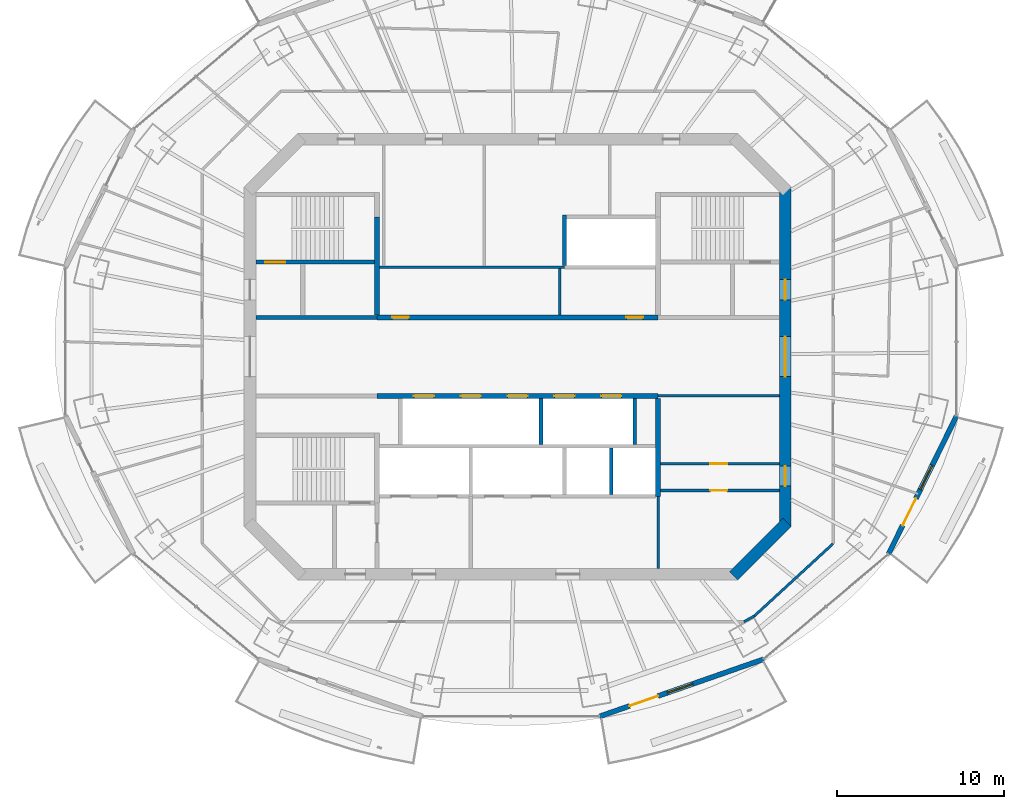
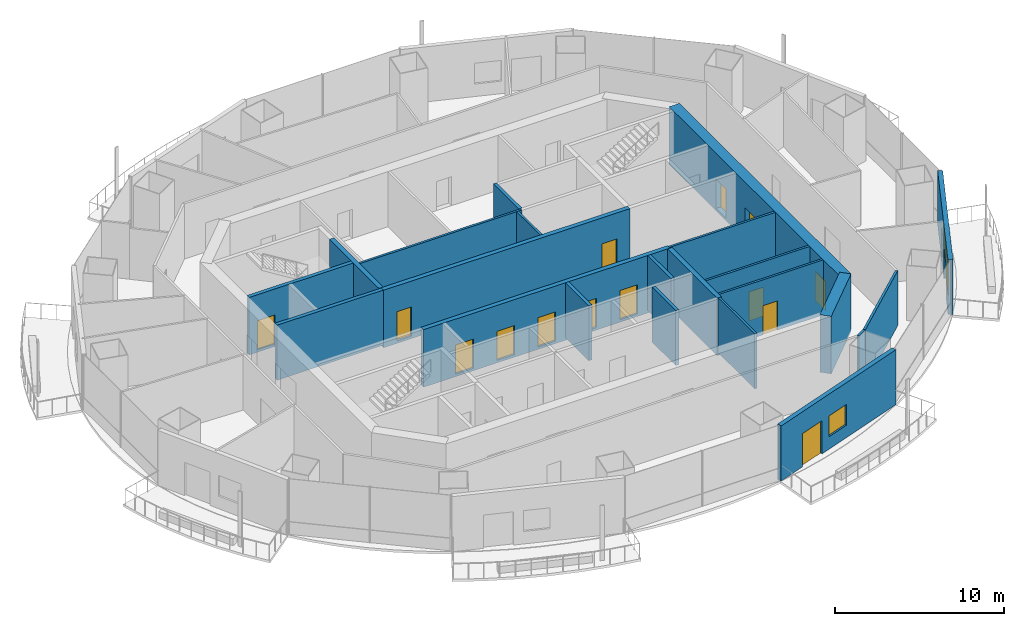
# One storey, part 9 of 16: 22 walls, 15 doors, 2 windows, 17 openings.
"""IFC4 building model written with IfcOpenShell, lengths in metres."""

from ifc_helpers import new_model, si_unit, direction, frame, frame_2d, origin, place, context, subcontext, project, spatial, rectangle, extrude, material, layer, layer_set, type_object, element, fill, save


model = new_model("IFC4")

# Units and contexts
model_context = context("Model", 3, precision=1e-05, world=origin(), true_north=direction((0.0, 1.0)))
body_context = subcontext(model_context, "Body", "Model", "MODEL_VIEW")
ifc_project = project(units=[si_unit("LENGTHUNIT", "METRE"), si_unit("AREAUNIT", "SQUARE_METRE"), si_unit("VOLUMEUNIT", "CUBIC_METRE"), si_unit("PLANEANGLEUNIT", "RADIAN"), si_unit("MASSUNIT", "GRAM", prefix="KILO")], contexts=[model_context])

# Site, building, storey
site_placement = place(None, origin())
site = spatial("IfcSite", under=ifc_project, at=site_placement, CompositionType="ELEMENT")
building_placement = place(site_placement, origin())
building = spatial("IfcBuilding", under=site, at=building_placement, Name="Marenthal Gate Tower", CompositionType="ELEMENT")
storey_placement = place(building_placement, frame((0.0, 0.0, 334.300048828125)))
storey = spatial("IfcBuildingStorey", under=building, at=storey_placement, Name="L75", CompositionType="ELEMENT", Elevation=334.300048828125)

# Wall
ifc_material_1 = material(Name="Concrete 60 MPa", Category="concrete")
ifc_layer_1 = layer(ifc_material_1, 0.699951171875)
ifc_layer_set_1 = layer_set([ifc_layer_1], Name="Core shear wall 700")
wall_type_1 = type_object("IfcWallType", Name="Core shear wall 700", PredefinedType="SHEAR", material=ifc_layer_set_1)
wall_1_placement = place(storey_placement, frame((12.8974609375, -13.1025390625, -0.179931640625), z_axis=(0.0, 0.0, 1.0), x_axis=(0.707106781187, 0.707106781187, 0.0)))
element("IfcWall", 1, at=wall_1_placement, inside=storey, type_object=wall_type_1, Name="Core wall 01", PredefinedType="SHEAR", context=body_context, shape_type="SweptSolid", body=[
    extrude(rectangle(XDim=4.53271484375, YDim=0.699951171875, at=frame_2d((2.266357421875, 0.0))), origin(), (0.0, 0.0, 1.0), 4.14990234375),
])

# Wall, openings, doors
wall_2_placement = place(storey_placement, frame((16.0, -10.14501953125, -0.179931640625), z_axis=(0.0, 0.0, 1.0), x_axis=(0.0, 1.0, 0.0)))
wall_2 = element("IfcWall", 2, at=wall_2_placement, inside=storey, type_object=wall_type_1, Name="Core wall 02", PredefinedType="SHEAR", context=body_context, shape_type="SweptSolid", body=[
    extrude(rectangle(XDim=20.2900390625, YDim=0.699951171875, at=frame_2d((10.14501953125, 0.0))), origin(), (0.0, 0.0, 1.0), 4.14990234375),
])
opening_1_placement = place(wall_2_placement, frame((8.945068359375, 0.0, 0.179931640625)))
opening_1 = element("IfcOpeningElement", 3, at=opening_1_placement, cuts=wall_2, Name="Opening D003.02", PredefinedType="OPENING", context=body_context, shape_type="SweptSolid", body=[
    extrude(rectangle(XDim=2.39990234375, YDim=2.10009765625, at=frame_2d((1.199951171875, 1.050048828125))), frame((0.0, 0.35986328125, 0.0), z_axis=(0.0, -1.0, 0.0), x_axis=(1.0, 0.0, 0.0)), (0.0, 0.0, 1.0), 0.719970703125),
])
opening_2_placement = place(wall_2_placement, frame((13.544921875, 0.0, 0.179931640625)))
opening_2 = element("IfcOpeningElement", 4, at=opening_2_placement, cuts=wall_2, Name="Opening D001.05", PredefinedType="OPENING", context=body_context, shape_type="SweptSolid", body=[
    extrude(rectangle(XDim=1.199951171875, YDim=2.10009765625, at=frame_2d((0.60009765625, 1.050048828125))), frame((0.0, 0.35986328125, 0.0), z_axis=(0.0, -1.0, 0.0), x_axis=(1.0, 0.0, 0.0)), (0.0, 0.0, 1.0), 0.719970703125),
])
opening_3_placement = place(wall_2_placement, frame((2.39990234375, 0.0, 0.179931640625)))
opening_3 = element("IfcOpeningElement", 5, at=opening_3_placement, cuts=wall_2, Name="Opening D006.01", PredefinedType="OPENING", context=body_context, shape_type="SweptSolid", body=[
    extrude(rectangle(XDim=1.199951171875, YDim=2.10009765625, at=frame_2d((0.60009765625, 1.050048828125))), frame((0.0, 0.35986328125, 0.0), z_axis=(0.0, -1.0, 0.0), x_axis=(1.0, 0.0, 0.0)), (0.0, 0.0, 1.0), 0.719970703125),
])
ifc_material_2 = material(Name="Steel fire door", Category="steel")
door_type_1 = type_object("IfcDoorType", Name="Double fire door FD 45 2400 x 2100", OperationType="DOUBLE_DOOR_SINGLE_SWING", PredefinedType="DOOR", material=ifc_material_2)
door_1_placement = place(opening_1_placement, origin())
door_1 = element("IfcDoor", 6, at=door_1_placement, inside=storey, type_object=door_type_1, Name="Door D003.02", OperationType="DOUBLE_DOOR_SINGLE_SWING", OverallHeight=2.10009765625, OverallWidth=2.39990234375, PredefinedType="DOOR", context=body_context, shape_type="SweptSolid", body=[
    extrude(rectangle(XDim=2.39990234375, YDim=2.10009765625, at=frame_2d((1.199951171875, 1.050048828125))), frame((0.0, 0.02490234375, 0.0), z_axis=(0.0, -1.0, 0.0), x_axis=(1.0, 0.0, 0.0)), (0.0, 0.0, 1.0), 0.050048828125),
])
fill(opening_1, door_1)
ifc_material_3 = material(Name="Steel fire door", Category="steel")
door_type_2 = type_object("IfcDoorType", Name="Fire door FD 45 1200 x 2100", OperationType="NOTDEFINED", PredefinedType="DOOR", material=ifc_material_3)
door_2_placement = place(opening_3_placement, origin())
door_2 = element("IfcDoor", 7, at=door_2_placement, inside=storey, type_object=door_type_2, Name="Door D006.01", OperationType="SINGLE_SWING_RIGHT", OverallHeight=2.10009765625, OverallWidth=1.199951171875, PredefinedType="DOOR", context=body_context, shape_type="SweptSolid", body=[
    extrude(rectangle(XDim=1.199951171875, YDim=2.10009765625, at=frame_2d((0.60009765625, 1.050048828125))), frame((0.0, 0.02490234375, 0.0), z_axis=(0.0, -1.0, 0.0), x_axis=(1.0, 0.0, 0.0)), (0.0, 0.0, 1.0), 0.050048828125),
])
fill(opening_3, door_2)
ifc_material_4 = material(Name="Steel fire door", Category="steel")
door_type_3 = type_object("IfcDoorType", Name="Fire door FD 90 1200 x 2100", OperationType="NOTDEFINED", PredefinedType="DOOR", material=ifc_material_4)
door_3_placement = place(opening_2_placement, origin())
door_3 = element("IfcDoor", 8, at=door_3_placement, inside=storey, type_object=door_type_3, Name="Door D001.05", OperationType="SINGLE_SWING_RIGHT", OverallHeight=2.10009765625, OverallWidth=1.199951171875, PredefinedType="DOOR", context=body_context, shape_type="SweptSolid", body=[
    extrude(rectangle(XDim=1.199951171875, YDim=2.10009765625, at=frame_2d((0.60009765625, 1.050048828125))), frame((0.0, 0.02490234375, 0.0), z_axis=(0.0, -1.0, 0.0), x_axis=(1.0, 0.0, 0.0)), (0.0, 0.0, 1.0), 0.050048828125),
])
fill(opening_2, door_3)

ifc_material_5 = material(Name="Concrete 50 MPa", Category="concrete")
ifc_layer_2 = layer(ifc_material_5, 0.300048828125)
ifc_layer_set_2 = layer_set([ifc_layer_2], Name="Hoistway shear wall 300")
wall_type_2 = type_object("IfcWallType", Name="Hoistway shear wall 300", PredefinedType="SHEAR", material=ifc_layer_set_2)
wall_3_placement = place(storey_placement, frame((-8.39990234375, -2.35009765625, -0.179931640625), z_axis=(0.0, 0.0, 1.0), x_axis=(1.0, 0.0, 0.0)))
wall_3 = element("IfcWall", 9, at=wall_3_placement, inside=storey, type_object=wall_type_2, Name="Hoistway wall 17", PredefinedType="SHEAR", context=body_context, shape_type="SweptSolid", body=[
    extrude(rectangle(XDim=16.7998046875, YDim=0.300048828125, at=frame_2d((8.39990234375, 0.0))), origin(), (0.0, 0.0, 1.0), 4.14990234375),
])
opening_4_placement = place(wall_3_placement, frame((2.199951171875, 0.0, 0.179931640625)))
opening_4 = element("IfcOpeningElement", 10, at=opening_4_placement, cuts=wall_3, Name="Opening LD-HP1", PredefinedType="OPENING", context=body_context, shape_type="SweptSolid", body=[
    extrude(rectangle(XDim=1.199951171875, YDim=2.10009765625, at=frame_2d((0.60009765625, 1.050048828125))), frame((0.0, 0.16015625, 0.0), z_axis=(0.0, -1.0, 0.0), x_axis=(1.0, 0.0, 0.0)), (0.0, 0.0, 1.0), 0.320068359375),
])
opening_5_placement = place(wall_3_placement, frame((5.0, 0.0, 0.179931640625)))
opening_5 = element("IfcOpeningElement", 11, at=opening_5_placement, cuts=wall_3, Name="Opening LD-HP2", PredefinedType="OPENING", context=body_context, shape_type="SweptSolid", body=[
    extrude(rectangle(XDim=1.199951171875, YDim=2.10009765625, at=frame_2d((0.60009765625, 1.050048828125))), frame((0.0, 0.16015625, 0.0), z_axis=(0.0, -1.0, 0.0), x_axis=(1.0, 0.0, 0.0)), (0.0, 0.0, 1.0), 0.320068359375),
])
opening_6_placement = place(wall_3_placement, frame((7.800048828125, 0.0, 0.179931640625)))
opening_6 = element("IfcOpeningElement", 12, at=opening_6_placement, cuts=wall_3, Name="Opening LD-HP3", PredefinedType="OPENING", context=body_context, shape_type="SweptSolid", body=[
    extrude(rectangle(XDim=1.199951171875, YDim=2.10009765625, at=frame_2d((0.60009765625, 1.050048828125))), frame((0.0, 0.16015625, 0.0), z_axis=(0.0, -1.0, 0.0), x_axis=(1.0, 0.0, 0.0)), (0.0, 0.0, 1.0), 0.320068359375),
])
opening_7_placement = place(wall_3_placement, frame((10.60009765625, 0.0, 0.179931640625)))
opening_7 = element("IfcOpeningElement", 13, at=opening_7_placement, cuts=wall_3, Name="Opening LD-HP4", PredefinedType="OPENING", context=body_context, shape_type="SweptSolid", body=[
    extrude(rectangle(XDim=1.199951171875, YDim=2.10009765625, at=frame_2d((0.60009765625, 1.050048828125))), frame((0.0, 0.16015625, 0.0), z_axis=(0.0, -1.0, 0.0), x_axis=(1.0, 0.0, 0.0)), (0.0, 0.0, 1.0), 0.320068359375),
])
opening_8_placement = place(wall_3_placement, frame((13.39990234375, 0.0, 0.179931640625)))
opening_8 = element("IfcOpeningElement", 14, at=opening_8_placement, cuts=wall_3, Name="Opening LD-HP5", PredefinedType="OPENING", context=body_context, shape_type="SweptSolid", body=[
    extrude(rectangle(XDim=1.199951171875, YDim=2.10009765625, at=frame_2d((0.60009765625, 1.050048828125))), frame((0.0, 0.16015625, 0.0), z_axis=(0.0, -1.0, 0.0), x_axis=(1.0, 0.0, 0.0)), (0.0, 0.0, 1.0), 0.320068359375),
])
ifc_material_6 = material(Name="Stainless steel sliding door", Category="steel")
door_type_4 = type_object("IfcDoorType", Name="Lift landing door FD 90 1200 x 2100", OperationType="DOUBLE_DOOR_SLIDING", PredefinedType="DOOR", material=ifc_material_6)
door_4_placement = place(opening_4_placement, origin())
door_4 = element("IfcDoor", 15, at=door_4_placement, inside=storey, type_object=door_type_4, Name="Lift landing door HP1", OperationType="DOUBLE_DOOR_SLIDING", OverallHeight=2.10009765625, OverallWidth=1.199951171875, PredefinedType="DOOR", context=body_context, shape_type="SweptSolid", body=[
    extrude(rectangle(XDim=1.199951171875, YDim=2.10009765625, at=frame_2d((0.60009765625, 1.050048828125))), frame((0.0, 0.02490234375, 0.0), z_axis=(0.0, -1.0, 0.0), x_axis=(1.0, 0.0, 0.0)), (0.0, 0.0, 1.0), 0.050048828125),
])
fill(opening_4, door_4)
door_5_placement = place(opening_5_placement, origin())
door_5 = element("IfcDoor", 16, at=door_5_placement, inside=storey, type_object=door_type_4, Name="Lift landing door HP2", OperationType="DOUBLE_DOOR_SLIDING", OverallHeight=2.10009765625, OverallWidth=1.199951171875, PredefinedType="DOOR", context=body_context, shape_type="SweptSolid", body=[
    extrude(rectangle(XDim=1.199951171875, YDim=2.10009765625, at=frame_2d((0.60009765625, 1.050048828125))), frame((0.0, 0.02490234375, 0.0), z_axis=(0.0, -1.0, 0.0), x_axis=(1.0, 0.0, 0.0)), (0.0, 0.0, 1.0), 0.050048828125),
])
fill(opening_5, door_5)
door_6_placement = place(opening_6_placement, origin())
door_6 = element("IfcDoor", 17, at=door_6_placement, inside=storey, type_object=door_type_4, Name="Lift landing door HP3", OperationType="DOUBLE_DOOR_SLIDING", OverallHeight=2.10009765625, OverallWidth=1.199951171875, PredefinedType="DOOR", context=body_context, shape_type="SweptSolid", body=[
    extrude(rectangle(XDim=1.199951171875, YDim=2.10009765625, at=frame_2d((0.60009765625, 1.050048828125))), frame((0.0, 0.02490234375, 0.0), z_axis=(0.0, -1.0, 0.0), x_axis=(1.0, 0.0, 0.0)), (0.0, 0.0, 1.0), 0.050048828125),
])
fill(opening_6, door_6)
door_7_placement = place(opening_7_placement, origin())
door_7 = element("IfcDoor", 18, at=door_7_placement, inside=storey, type_object=door_type_4, Name="Lift landing door HP4", OperationType="DOUBLE_DOOR_SLIDING", OverallHeight=2.10009765625, OverallWidth=1.199951171875, PredefinedType="DOOR", context=body_context, shape_type="SweptSolid", body=[
    extrude(rectangle(XDim=1.199951171875, YDim=2.10009765625, at=frame_2d((0.60009765625, 1.050048828125))), frame((0.0, 0.02490234375, 0.0), z_axis=(0.0, -1.0, 0.0), x_axis=(1.0, 0.0, 0.0)), (0.0, 0.0, 1.0), 0.050048828125),
])
fill(opening_7, door_7)
door_8_placement = place(opening_8_placement, origin())
door_8 = element("IfcDoor", 19, at=door_8_placement, inside=storey, type_object=door_type_4, Name="Lift landing door HP5", OperationType="DOUBLE_DOOR_SLIDING", OverallHeight=2.10009765625, OverallWidth=1.199951171875, PredefinedType="DOOR", context=body_context, shape_type="SweptSolid", body=[
    extrude(rectangle(XDim=1.199951171875, YDim=2.10009765625, at=frame_2d((0.60009765625, 1.050048828125))), frame((0.0, 0.02490234375, 0.0), z_axis=(0.0, -1.0, 0.0), x_axis=(1.0, 0.0, 0.0)), (0.0, 0.0, 1.0), 0.050048828125),
])
fill(opening_8, door_8)

wall_4_placement = place(storey_placement, frame((-8.39990234375, 2.35009765625, -0.179931640625), z_axis=(0.0, 0.0, 1.0), x_axis=(1.0, 0.0, 0.0)))
wall_4 = element("IfcWall", 20, at=wall_4_placement, inside=storey, type_object=wall_type_2, Name="Hoistway wall 20", PredefinedType="SHEAR", context=body_context, shape_type="SweptSolid", body=[
    extrude(rectangle(XDim=16.7998046875, YDim=0.300048828125, at=frame_2d((8.39990234375, 0.0))), origin(), (0.0, 0.0, 1.0), 4.14990234375),
])
opening_9_placement = place(wall_4_placement, frame((0.89990234375, 0.0, 0.179931640625)))
opening_9 = element("IfcOpeningElement", 21, at=opening_9_placement, cuts=wall_4, Name="Opening D005.01", PredefinedType="OPENING", context=body_context, shape_type="SweptSolid", body=[
    extrude(rectangle(XDim=1.0, YDim=2.10009765625, at=frame_2d((0.5, 1.050048828125))), frame((0.0, 0.16015625, 0.0), z_axis=(0.0, -1.0, 0.0), x_axis=(1.0, 0.0, 0.0)), (0.0, 0.0, 1.0), 0.320068359375),
])
opening_10_placement = place(wall_4_placement, frame((14.89990234375, 0.0, 0.179931640625)))
opening_10 = element("IfcOpeningElement", 22, at=opening_10_placement, cuts=wall_4, Name="Opening D005.02", PredefinedType="OPENING", context=body_context, shape_type="SweptSolid", body=[
    extrude(rectangle(XDim=1.0, YDim=2.10009765625, at=frame_2d((0.5, 1.050048828125))), frame((0.0, 0.16015625, 0.0), z_axis=(0.0, -1.0, 0.0), x_axis=(1.0, 0.0, 0.0)), (0.0, 0.0, 1.0), 0.320068359375),
])
ifc_material_7 = material(Name="Steel fire door", Category="steel")
door_type_5 = type_object("IfcDoorType", Name="Fire door FD 45 1000 x 2100", OperationType="NOTDEFINED", PredefinedType="DOOR", material=ifc_material_7)
door_9_placement = place(opening_9_placement, origin())
door_9 = element("IfcDoor", 23, at=door_9_placement, inside=storey, type_object=door_type_5, Name="Door D005.01", OperationType="SINGLE_SWING_RIGHT", OverallHeight=2.10009765625, OverallWidth=1.0, PredefinedType="DOOR", context=body_context, shape_type="SweptSolid", body=[
    extrude(rectangle(XDim=1.0, YDim=2.10009765625, at=frame_2d((0.5, 1.050048828125))), frame((0.0, 0.02490234375, 0.0), z_axis=(0.0, -1.0, 0.0), x_axis=(1.0, 0.0, 0.0)), (0.0, 0.0, 1.0), 0.050048828125),
])
fill(opening_9, door_9)
door_10_placement = place(opening_10_placement, origin())
door_10 = element("IfcDoor", 24, at=door_10_placement, inside=storey, type_object=door_type_5, Name="Door D005.02", OperationType="SINGLE_SWING_RIGHT", OverallHeight=2.10009765625, OverallWidth=1.0, PredefinedType="DOOR", context=body_context, shape_type="SweptSolid", body=[
    extrude(rectangle(XDim=1.0, YDim=2.10009765625, at=frame_2d((0.5, 1.050048828125))), frame((0.0, 0.02490234375, 0.0), z_axis=(0.0, -1.0, 0.0), x_axis=(1.0, 0.0, 0.0)), (0.0, 0.0, 1.0), 0.050048828125),
])
fill(opening_10, door_10)

# Walls
for number, where, z_axis, x_axis, name in (
    (25, (-8.39990234375, 2.5, -0.179931640625), (0.0, 0.0, 1.0), (0.0, 1.0, 0.0), "Hoistway wall 33"),
    (26, (8.39990234375, -8.35009765625, -0.179931640625), (0.0, 0.0, 1.0), (0.0, 1.0, 0.0), "Hoistway wall 48"),
):
    element("IfcWall", number, at=place(storey_placement, frame(where, z_axis=z_axis, x_axis=x_axis)), inside=storey, type_object=wall_type_2, Name=name, PredefinedType="SHEAR", context=body_context, shape_type="SweptSolid", body=[
        extrude(rectangle(XDim=5.85009765625, YDim=0.300048828125, at=frame_2d((2.925048828125, 0.0))), origin(), (0.0, 0.0, 1.0), 4.14990234375),
    ])
ifc_material_8 = material(Name="Concrete 40 MPa", Category="concrete")
ifc_layer_3 = layer(ifc_material_8, 0.219970703125)
ifc_layer_set_3 = layer_set([ifc_layer_3], Name="Hoistway wall 220")
wall_type_3 = type_object("IfcWallType", Name="Hoistway wall 220", PredefinedType="STANDARD", material=ifc_layer_set_3)
wall_5_placement = place(storey_placement, frame((1.39990234375, -5.239990234375, 0.0), z_axis=(0.0, 0.0, 1.0), x_axis=(0.0, 1.0, 0.0)))
element("IfcWall", 27, at=wall_5_placement, inside=storey, type_object=wall_type_3, Name="Hoistway wall 40", PredefinedType="STANDARD", context=body_context, shape_type="SweptSolid", body=[
    extrude(rectangle(XDim=2.739990234375, YDim=0.219970703125, at=frame_2d((1.3701171875, 0.0))), origin(), (0.0, 0.0, 1.0), 3.969970703125),
])
wall_6_placement = place(storey_placement, frame((2.800048828125, 5.4599609375, 0.0), z_axis=(0.0, 0.0, 1.0), x_axis=(0.0, 1.0, 0.0)))
element("IfcWall", 28, at=wall_6_placement, inside=storey, type_object=wall_type_3, Name="Hoistway wall 43", PredefinedType="STANDARD", context=body_context, shape_type="SweptSolid", body=[
    extrude(rectangle(XDim=3.0, YDim=0.219970703125, at=frame_2d((1.5, 0.0))), origin(), (0.0, 0.0, 1.0), 3.969970703125),
])
wall_7_placement = place(storey_placement, frame((5.60009765625, -8.239990234375, 0.0), z_axis=(0.0, 0.0, 1.0), x_axis=(0.0, 1.0, 0.0)))
element("IfcWall", 29, at=wall_7_placement, inside=storey, type_object=wall_type_3, Name="Hoistway wall 45", PredefinedType="STANDARD", context=body_context, shape_type="SweptSolid", body=[
    extrude(rectangle(XDim=2.780029296875, YDim=0.219970703125, at=frame_2d((1.39013671875, 0.0))), origin(), (0.0, 0.0, 1.0), 3.969970703125),
])
wall_8_placement = place(storey_placement, frame((7.0, -5.239990234375, 0.0), z_axis=(0.0, 0.0, 1.0), x_axis=(0.0, 1.0, 0.0)))
element("IfcWall", 30, at=wall_8_placement, inside=storey, type_object=wall_type_3, Name="Hoistway wall 46", PredefinedType="STANDARD", context=body_context, shape_type="SweptSolid", body=[
    extrude(rectangle(XDim=2.739990234375, YDim=0.219970703125, at=frame_2d((1.3701171875, 0.0))), origin(), (0.0, 0.0, 1.0), 3.969970703125),
])

# Wall, opening, door
ifc_material_9 = material(Name="Gypsum board on steel studs", Category="steel")
ifc_layer_4 = layer(ifc_material_9, 0.14990234375)
ifc_layer_set_4 = layer_set([ifc_layer_4], Name="Partition 150")
wall_type_4 = type_object("IfcWallType", Name="Partition 150", PredefinedType="PARTITIONING", material=ifc_layer_set_4)
wall_9_placement = place(storey_placement, frame((8.550048828125, -8.0, 0.0), z_axis=(0.0, 0.0, 1.0), x_axis=(1.0, 0.0, 0.0)))
wall_9 = element("IfcWall", 31, at=wall_9_placement, inside=storey, type_object=wall_type_4, Name="Partition wall 12", PredefinedType="PARTITIONING", context=body_context, shape_type="SweptSolid", body=[
    extrude(rectangle(XDim=7.099853515625, YDim=0.14990234375, at=frame_2d((3.5498046875, 0.0))), origin(), (0.0, 0.0, 1.0), 3.969970703125),
])
opening_11_placement = place(wall_9_placement, frame((2.97509765625, 0.0, 0.0)))
opening_11 = element("IfcOpeningElement", 32, at=opening_11_placement, cuts=wall_9, Name="Opening D005.08", PredefinedType="OPENING", context=body_context, shape_type="SweptSolid", body=[
    extrude(rectangle(XDim=1.0, YDim=2.10009765625, at=frame_2d((0.5, 1.050048828125))), frame((0.0, 0.0849609375, 0.0), z_axis=(0.0, -1.0, 0.0), x_axis=(1.0, 0.0, 0.0)), (0.0, 0.0, 1.0), 0.169921875),
])
door_11_placement = place(opening_11_placement, frame((1.0, 0.0, 0.0), z_axis=(0.0, 0.0, 1.0), x_axis=(-1.0, 0.0, 0.0)))
door_11 = element("IfcDoor", 33, at=door_11_placement, inside=storey, type_object=door_type_5, Name="Door D005.08", OperationType="SINGLE_SWING_LEFT", OverallHeight=2.10009765625, OverallWidth=1.0, PredefinedType="DOOR", context=body_context, shape_type="SweptSolid", body=[
    extrude(rectangle(XDim=1.0, YDim=2.10009765625, at=frame_2d((0.5, 1.050048828125))), frame((0.0, 0.02490234375, 0.0), z_axis=(0.0, -1.0, 0.0), x_axis=(1.0, 0.0, 0.0)), (0.0, 0.0, 1.0), 0.050048828125),
])
fill(opening_11, door_11)

wall_10_placement = place(storey_placement, frame((8.550048828125, -6.39990234375, 0.0), z_axis=(0.0, 0.0, 1.0), x_axis=(1.0, 0.0, 0.0)))
wall_10 = element("IfcWall", 34, at=wall_10_placement, inside=storey, type_object=wall_type_4, Name="Partition wall 13", PredefinedType="PARTITIONING", context=body_context, shape_type="SweptSolid", body=[
    extrude(rectangle(XDim=7.099853515625, YDim=0.14990234375, at=frame_2d((3.5498046875, 0.0))), origin(), (0.0, 0.0, 1.0), 3.969970703125),
])
opening_12_placement = place(wall_10_placement, frame((2.97509765625, 0.0, 0.0)))
opening_12 = element("IfcOpeningElement", 35, at=opening_12_placement, cuts=wall_10, Name="Opening D005.07", PredefinedType="OPENING", context=body_context, shape_type="SweptSolid", body=[
    extrude(rectangle(XDim=1.0, YDim=2.10009765625, at=frame_2d((0.5, 1.050048828125))), frame((0.0, 0.0849609375, 0.0), z_axis=(0.0, -1.0, 0.0), x_axis=(1.0, 0.0, 0.0)), (0.0, 0.0, 1.0), 0.169921875),
])
door_12_placement = place(opening_12_placement, origin())
door_12 = element("IfcDoor", 36, at=door_12_placement, inside=storey, type_object=door_type_5, Name="Door D005.07", OperationType="SINGLE_SWING_RIGHT", OverallHeight=2.10009765625, OverallWidth=1.0, PredefinedType="DOOR", context=body_context, shape_type="SweptSolid", body=[
    extrude(rectangle(XDim=1.0, YDim=2.10009765625, at=frame_2d((0.5, 1.050048828125))), frame((0.0, 0.02490234375, 0.0), z_axis=(0.0, -1.0, 0.0), x_axis=(1.0, 0.0, 0.0)), (0.0, 0.0, 1.0), 0.050048828125),
])
fill(opening_12, door_12)

# Walls
wall_11_placement = place(storey_placement, frame((8.39990234375, -2.35009765625, 0.0), z_axis=(0.0, 0.0, 1.0), x_axis=(1.0, 0.0, 0.0)))
element("IfcWall", 37, at=wall_11_placement, inside=storey, type_object=wall_type_4, Name="Partition wall 18", PredefinedType="PARTITIONING", context=body_context, shape_type="SweptSolid", body=[
    extrude(rectangle(XDim=7.25, YDim=0.14990234375, at=frame_2d((3.625, 0.0))), origin(), (0.0, 0.0, 1.0), 3.969970703125),
])
wall_12_placement = place(storey_placement, frame((-8.25, 5.35009765625, 0.0), z_axis=(0.0, 0.0, 1.0), x_axis=(1.0, 0.0, 0.0)))
element("IfcWall", 38, at=wall_12_placement, inside=storey, type_object=wall_type_4, Name="Partition wall 22", PredefinedType="PARTITIONING", context=body_context, shape_type="SweptSolid", body=[
    extrude(rectangle(XDim=11.050048828125, YDim=0.14990234375, at=frame_2d((5.52490234375, 0.0))), origin(), (0.0, 0.0, 1.0), 3.969970703125),
])
wall_13_placement = place(storey_placement, frame((2.52001953125, 2.5, 0.0), z_axis=(0.0, 0.0, 1.0), x_axis=(0.0, 1.0, 0.0)))
element("IfcWall", 39, at=wall_13_placement, inside=storey, type_object=wall_type_4, Name="Partition wall 41", PredefinedType="PARTITIONING", context=body_context, shape_type="SweptSolid", body=[
    extrude(rectangle(XDim=2.77490234375, YDim=0.14990234375, at=frame_2d((1.387451171875, 0.0))), origin(), (0.0, 0.0, 1.0), 3.969970703125),
])
wall_14_placement = place(storey_placement, frame((8.39990234375, -12.64990234375, 0.0), z_axis=(0.0, 0.0, 1.0), x_axis=(0.0, 1.0, 0.0)))
element("IfcWall", 40, at=wall_14_placement, inside=storey, type_object=wall_type_4, Name="Partition wall 47", PredefinedType="PARTITIONING", context=body_context, shape_type="SweptSolid", body=[
    extrude(rectangle(XDim=4.2998046875, YDim=0.14990234375, at=frame_2d((2.14990234375, 0.0))), origin(), (0.0, 0.0, 1.0), 3.969970703125),
])
wall_15_placement = place(storey_placement, frame((14.152587890625, -15.4990234375, 0.0), z_axis=(0.0, 0.0, 1.0), x_axis=(-0.874045695272, -0.485843722381, 0.0)))
element("IfcWall", 41, at=wall_15_placement, inside=storey, type_object=wall_type_4, Name="Partition wall 67", PredefinedType="PARTITIONING", context=body_context, shape_type="SweptSolid", body=[
    extrude(rectangle(XDim=0.72265625, YDim=0.14990234375, at=frame_2d((0.361328125, 0.0))), origin(), (0.0, 0.0, 1.0), 3.969970703125),
])
wall_16_placement = place(storey_placement, frame((18.85009765625, -11.180419921875, 0.0), z_axis=(0.0, 0.0, 1.0), x_axis=(-0.736173458932, -0.676792906556, 0.0)))
element("IfcWall", 42, at=wall_16_placement, inside=storey, type_object=wall_type_4, Name="Partition wall 69", PredefinedType="PARTITIONING", context=body_context, shape_type="SweptSolid", body=[
    extrude(rectangle(XDim=6.381103515625, YDim=0.14990234375, at=frame_2d((3.1904296875, 0.0))), origin(), (0.0, 0.0, 1.0), 3.969970703125),
])
ifc_material_10 = material(Name="Concrete 40 MPa", Category="concrete")
ifc_layer_5 = layer(ifc_material_10, 0.25)
ifc_layer_set_5 = layer_set([ifc_layer_5], Name="Stair enclosure wall 250")
wall_type_5 = type_object("IfcWallType", Name="Stair enclosure wall 250", PredefinedType="STANDARD", material=ifc_layer_set_5)
wall_17_placement = place(storey_placement, frame((-15.64990234375, 2.35009765625, 0.0), z_axis=(0.0, 0.0, 1.0), x_axis=(1.0, 0.0, 0.0)))
element("IfcWall", 43, at=wall_17_placement, inside=storey, type_object=wall_type_5, Name="Stair wall 19", PredefinedType="STANDARD", context=body_context, shape_type="SweptSolid", body=[
    extrude(rectangle(XDim=7.25, YDim=0.25, at=frame_2d((3.625, 0.0))), origin(), (0.0, 0.0, 1.0), 3.969970703125),
])

# Wall, opening, door
ifc_material_11 = material(Name="Concrete 50 MPa", Category="concrete")
ifc_layer_6 = layer(ifc_material_11, 0.25)
ifc_layer_set_6 = layer_set([ifc_layer_6], Name="Stair shear wall 250")
wall_type_6 = type_object("IfcWallType", Name="Stair shear wall 250", PredefinedType="SHEAR", material=ifc_layer_set_6)
wall_18_placement = place(storey_placement, frame((-15.64990234375, 5.64990234375, -0.179931640625), z_axis=(0.0, 0.0, 1.0), x_axis=(1.0, 0.0, 0.0)))
wall_18 = element("IfcWall", 44, at=wall_18_placement, inside=storey, type_object=wall_type_6, Name="Stair wall 24", PredefinedType="SHEAR", context=body_context, shape_type="SweptSolid", body=[
    extrude(rectangle(XDim=7.099853515625, YDim=0.25, at=frame_2d((3.5498046875, 0.0))), origin(), (0.0, 0.0, 1.0), 4.14990234375),
])
opening_13_placement = place(wall_18_placement, frame((0.550048828125, 0.0, 0.179931640625)))
opening_13 = element("IfcOpeningElement", 45, at=opening_13_placement, cuts=wall_18, Name="Opening D001.01", PredefinedType="OPENING", context=body_context, shape_type="SweptSolid", body=[
    extrude(rectangle(XDim=1.199951171875, YDim=2.10009765625, at=frame_2d((0.60009765625, 1.050048828125))), frame((0.0, 0.135009765625, 0.0), z_axis=(0.0, -1.0, 0.0), x_axis=(1.0, 0.0, 0.0)), (0.0, 0.0, 1.0), 0.27001953125),
])
door_13_placement = place(opening_13_placement, origin())
door_13 = element("IfcDoor", 46, at=door_13_placement, inside=storey, type_object=door_type_3, Name="Door D001.01", OperationType="SINGLE_SWING_RIGHT", OverallHeight=2.10009765625, OverallWidth=1.199951171875, PredefinedType="DOOR", context=body_context, shape_type="SweptSolid", body=[
    extrude(rectangle(XDim=1.199951171875, YDim=2.10009765625, at=frame_2d((0.60009765625, 1.050048828125))), frame((0.0, 0.02490234375, 0.0), z_axis=(0.0, -1.0, 0.0), x_axis=(1.0, 0.0, 0.0)), (0.0, 0.0, 1.0), 0.050048828125),
])
fill(opening_13, door_13)

# Wall, openings, door, window
ifc_material_12 = material(Name="Terracotta cladding on insulated concrete-block backing", Category="masonry")
ifc_layer_7 = layer(ifc_material_12, 0.300048828125)
ifc_layer_set_7 = layer_set([ifc_layer_7], Name="Terracotta facade wall 300")
wall_type_7 = type_object("IfcWallType", Name="Terracotta facade wall 300", PredefinedType="SOLIDWALL", material=ifc_layer_set_7)
wall_19_placement = place(storey_placement, frame((4.896484375, -21.503173828125, 0.0), z_axis=(0.0, 0.0, 1.0), x_axis=(0.944291634301, 0.329109874341, 0.0)))
wall_19 = element("IfcWall", 47, at=wall_19_placement, inside=storey, type_object=wall_type_7, Name="Terracotta facade wall L75 bay 13", PredefinedType="SOLIDWALL", context=body_context, shape_type="SweptSolid", body=[
    extrude(rectangle(XDim=10.364013671875, YDim=0.300048828125, at=frame_2d((5.18212890625, 0.0))), origin(), (0.0, 0.0, 1.0), 3.969970703125),
])
opening_14_placement = place(wall_19_placement, frame((1.89990234375, 0.0, 0.0)))
opening_14 = element("IfcOpeningElement", 48, at=opening_14_placement, cuts=wall_19, Name="Opening BD-L75-13", PredefinedType="OPENING", context=body_context, shape_type="SweptSolid", body=[
    extrude(rectangle(XDim=1.800048828125, YDim=2.39990234375, at=frame_2d((0.89990234375, 1.199951171875))), frame((0.0, 0.16015625, 0.0), z_axis=(0.0, -1.0, 0.0), x_axis=(1.0, 0.0, 0.0)), (0.0, 0.0, 1.0), 0.320068359375),
])
opening_15_placement = place(wall_19_placement, frame((4.300048828125, 0.0, 0.89990234375)))
opening_15 = element("IfcOpeningElement", 49, at=opening_15_placement, cuts=wall_19, Name="Opening WN3-L75-13", PredefinedType="OPENING", context=body_context, shape_type="SweptSolid", body=[
    extrude(rectangle(XDim=1.60009765625, YDim=1.5, at=frame_2d((0.800048828125, 0.75))), frame((0.0, 0.16015625, 0.0), z_axis=(0.0, -1.0, 0.0), x_axis=(1.0, 0.0, 0.0)), (0.0, 0.0, 1.0), 0.320068359375),
])
ifc_material_13 = material(Name="Aluminium and glass", Category="aluminium")
door_type_6 = type_object("IfcDoorType", Name="Balcony door 1800x2400", OperationType="DOUBLE_DOOR_SINGLE_SWING", PredefinedType="DOOR", material=ifc_material_13)
door_14_placement = place(opening_14_placement, origin())
door_14 = element("IfcDoor", 50, at=door_14_placement, inside=storey, type_object=door_type_6, Name="Balcony door L75 bay 13", OperationType="SINGLE_SWING_LEFT", OverallHeight=2.39990234375, OverallWidth=1.800048828125, PredefinedType="DOOR", context=body_context, shape_type="SweptSolid", body=[
    extrude(rectangle(XDim=1.800048828125, YDim=2.39990234375, at=frame_2d((0.89990234375, 1.199951171875))), frame((0.0, 0.02490234375, 0.0), z_axis=(0.0, -1.0, 0.0), x_axis=(1.0, 0.0, 0.0)), (0.0, 0.0, 1.0), 0.050048828125),
])
fill(opening_14, door_14)
ifc_material_14 = material(Name="Aluminium and glass", Category="aluminium")
window_type = type_object("IfcWindowType", Name="Window 1600x1500", PartitioningType="DOUBLE_PANEL_VERTICAL", PredefinedType="WINDOW", material=ifc_material_14)
window_1_placement = place(opening_15_placement, origin())
window_1 = element("IfcWindow", 51, at=window_1_placement, inside=storey, type_object=window_type, Name="Window L75 bay 13", OverallHeight=1.5, OverallWidth=1.60009765625, PartitioningType="SINGLE_PANEL", PredefinedType="WINDOW", context=body_context, shape_type="SweptSolid", body=[
    extrude(rectangle(XDim=1.60009765625, YDim=1.5, at=frame_2d((0.800048828125, 0.75))), frame((0.0, 0.030029296875, 0.0), z_axis=(0.0, -1.0, 0.0), x_axis=(1.0, 0.0, 0.0)), (0.0, 0.0, 1.0), 0.06005859375),
])
fill(opening_15, window_1)

wall_20_placement = place(storey_placement, frame((22.173583984375, -11.790283203125, 0.0), z_axis=(0.0, 0.0, 1.0), x_axis=(0.441682707494, 0.89717132472, 0.0)))
wall_20 = element("IfcWall", 52, at=wall_20_placement, inside=storey, type_object=wall_type_7, Name="Terracotta facade wall L75 bay 15", PredefinedType="SOLIDWALL", context=body_context, shape_type="SweptSolid", body=[
    extrude(rectangle(XDim=9.177978515625, YDim=0.300048828125, at=frame_2d((4.5888671875, 0.0))), origin(), (0.0, 0.0, 1.0), 3.969970703125),
])
opening_16_placement = place(wall_20_placement, frame((1.89990234375, 0.0, 0.0)))
opening_16 = element("IfcOpeningElement", 53, at=opening_16_placement, cuts=wall_20, Name="Opening BD-L75-15", PredefinedType="OPENING", context=body_context, shape_type="SweptSolid", body=[
    extrude(rectangle(XDim=1.800048828125, YDim=2.39990234375, at=frame_2d((0.89990234375, 1.199951171875))), frame((0.0, 0.16015625, 0.0), z_axis=(0.0, -1.0, 0.0), x_axis=(1.0, 0.0, 0.0)), (0.0, 0.0, 1.0), 0.320068359375),
])
opening_17_placement = place(wall_20_placement, frame((4.300048828125, 0.0, 0.89990234375)))
opening_17 = element("IfcOpeningElement", 54, at=opening_17_placement, cuts=wall_20, Name="Opening WN3-L75-15", PredefinedType="OPENING", context=body_context, shape_type="SweptSolid", body=[
    extrude(rectangle(XDim=1.60009765625, YDim=1.5, at=frame_2d((0.800048828125, 0.75))), frame((0.0, 0.16015625, 0.0), z_axis=(0.0, -1.0, 0.0), x_axis=(1.0, 0.0, 0.0)), (0.0, 0.0, 1.0), 0.320068359375),
])
door_15_placement = place(opening_16_placement, origin())
door_15 = element("IfcDoor", 55, at=door_15_placement, inside=storey, type_object=door_type_6, Name="Balcony door L75 bay 15", OperationType="SINGLE_SWING_LEFT", OverallHeight=2.39990234375, OverallWidth=1.800048828125, PredefinedType="DOOR", context=body_context, shape_type="SweptSolid", body=[
    extrude(rectangle(XDim=1.800048828125, YDim=2.39990234375, at=frame_2d((0.89990234375, 1.199951171875))), frame((0.0, 0.02490234375, 0.0), z_axis=(0.0, -1.0, 0.0), x_axis=(1.0, 0.0, 0.0)), (0.0, 0.0, 1.0), 0.050048828125),
])
fill(opening_16, door_15)
window_2_placement = place(opening_17_placement, origin())
window_2 = element("IfcWindow", 56, at=window_2_placement, inside=storey, type_object=window_type, Name="Window L75 bay 15", OverallHeight=1.5, OverallWidth=1.60009765625, PartitioningType="SINGLE_PANEL", PredefinedType="WINDOW", context=body_context, shape_type="SweptSolid", body=[
    extrude(rectangle(XDim=1.60009765625, YDim=1.5, at=frame_2d((0.800048828125, 0.75))), frame((0.0, 0.030029296875, 0.0), z_axis=(0.0, -1.0, 0.0), x_axis=(1.0, 0.0, 0.0)), (0.0, 0.0, 1.0), 0.06005859375),
])
fill(opening_17, window_2)

save(model, "model.ifc")
